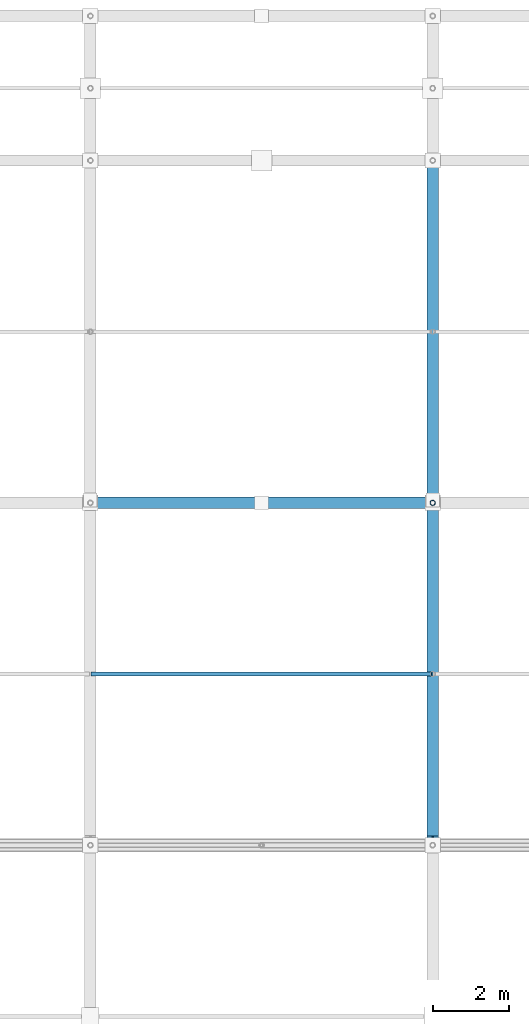
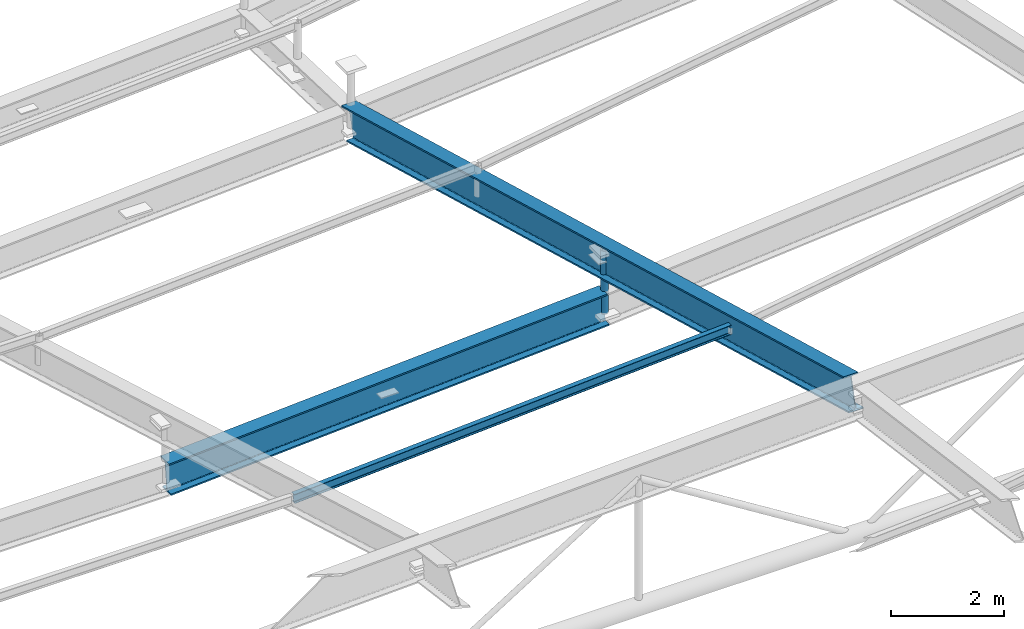
# One storey, part 46 of 80: 2 beams, 2 members.
"""IFC4 building model written with IfcOpenShell, lengths in metres."""

from ifc_helpers import new_model, si_unit, direction, frame, origin, origin_2d, place, context, subcontext, project, spatial, hollow_circle, i_section, extrude, material, material_profile, profile_set, type_object, element, save


model = new_model("IFC4")

# Units and contexts
model_context = context("Model", 3, precision=1e-05, world=origin(), true_north=direction((0.0, 1.0)))
body_context = subcontext(model_context, "Body", "Model", "MODEL_VIEW")
ifc_project = project(units=[si_unit("LENGTHUNIT", "METRE"), si_unit("AREAUNIT", "SQUARE_METRE"), si_unit("VOLUMEUNIT", "CUBIC_METRE"), si_unit("PLANEANGLEUNIT", "RADIAN"), si_unit("MASSUNIT", "GRAM", prefix="KILO")], contexts=[model_context])

# Site, building, storey
site_placement = place(None, origin())
site = spatial("IfcSite", under=ifc_project, at=site_placement, CompositionType="ELEMENT")
building_placement = place(site_placement, origin())
building = spatial("IfcBuilding", under=site, at=building_placement, Name="Barlavento Convention Centre", CompositionType="ELEMENT")
storey_placement = place(building_placement, frame((0.0, 0.0, 29.800048828125)))
storey = spatial("IfcBuildingStorey", under=building, at=storey_placement, Name="RF", CompositionType="ELEMENT", Elevation=29.800048828125)

# Beams
ifc_material_1 = material(Name="Steel S460", Category="steel")
ifc_material_profile_1 = material_profile(ifc_material_1, i_section(OverallWidth=0.300048828125, OverallDepth=0.699951171875, WebThickness=0.01708984375, FlangeThickness=0.031982421875, FilletRadius=0.027099609375, at=origin_2d()), Name="HEB 700")
ifc_profile_set_1 = profile_set([ifc_material_profile_1], Name="Steel S460")
beam_type = type_object("IfcBeamType", Name="STR-BM-TRUSS-TOP-HEB700", PredefinedType="BEAM", material=ifc_profile_set_1)
beam_1_placement = place(storey_placement, frame((36.0048828125, 45.0, -5.400146484375), z_axis=(0.998176275641, 0.0, 0.060366569787), x_axis=(0.0, 1.0, 0.0)))
element("IfcBeam", 1, at=beam_1_placement, inside=storey, type_object=beam_type, Name="Congress roof truss space frame chord", PredefinedType="BEAM", context=body_context, shape_type="SweptSolid", body=[
    extrude(i_section(OverallWidth=0.300048828125, OverallDepth=0.699951171875, WebThickness=0.01708984375, FlangeThickness=0.031982421875, FilletRadius=0.027099609375, at=origin_2d()), origin(), (0.0, 0.0, 1.0), 9.006591796875),
])
beam_2_placement = place(storey_placement, frame((45.0, 36.155029296875, -1.382568359375), z_axis=(0.0, 0.963806649618, -0.266602217081), x_axis=(-1.0, 0.0, 0.0)))
element("IfcBeam", 2, at=beam_2_placement, inside=storey, type_object=beam_type, Name="Congress roof truss space frame chord", PredefinedType="BEAM", context=body_context, shape_type="SweptSolid", body=[
    extrude(i_section(OverallWidth=0.300048828125, OverallDepth=0.699951171875, WebThickness=0.01708984375, FlangeThickness=0.031982421875, FilletRadius=0.027099609375, at=origin_2d()), origin(), (0.0, 0.0, 1.0), 18.510009765625),
])

# Members
ifc_material_2 = material(Name="Steel S355", Category="steel")
ifc_material_profile_2 = material_profile(ifc_material_2, hollow_circle(Radius=0.06982421875, WallThickness=0.008056640625, at=origin_2d()), Name="CHS 139.7x8.0")
ifc_profile_set_2 = profile_set([ifc_material_profile_2], Name="Steel S355")
member_type_1 = type_object("IfcMemberType", Name="STR-MEM-DIAG-CHS139", PredefinedType="BRACE", material=ifc_profile_set_2)
member_1_placement = place(storey_placement, frame((45.0, 45.0, -5.00634765625), z_axis=(0.0, 0.0, 1.0), x_axis=(1.0, 0.0, 0.0)))
element("IfcMember", 3, at=member_1_placement, inside=storey, type_object=member_type_1, Name="Congress space frame vertical node post TD04", PredefinedType="BRACE", context=body_context, shape_type="SweptSolid", body=[
    extrude(hollow_circle(Radius=0.06982421875, WallThickness=0.008056640625, at=origin_2d()), origin(), (0.0, 0.0, 1.0), 1.3701171875),
])
ifc_material_profile_3 = material_profile(ifc_material_2, i_section(OverallWidth=0.10009765625, OverallDepth=0.199951171875, WebThickness=0.005615234375, FlangeThickness=0.008544921875, FilletRadius=0.011962890625, at=origin_2d()), Name="IPE 200")
ifc_profile_set_3 = profile_set([ifc_material_profile_3], Name="Steel S355")
member_type_2 = type_object("IfcMemberType", Name="STR-MEM-PUR-IPE200", PredefinedType="PURLIN", material=ifc_profile_set_3)
member_2_placement = place(storey_placement, frame((36.02001953125, 40.5, -3.15625), z_axis=(0.99818200864, 0.0, 0.060271698396), x_axis=(0.0, 1.0, 0.0)))
element("IfcMember", 4, at=member_2_placement, inside=storey, type_object=member_type_2, Name="Congress roof intermediate purlin PR01", PredefinedType="PURLIN", context=body_context, shape_type="SweptSolid", body=[
    extrude(i_section(OverallWidth=0.10009765625, OverallDepth=0.199951171875, WebThickness=0.005615234375, FlangeThickness=0.008544921875, FilletRadius=0.011962890625, at=origin_2d()), origin(), (0.0, 0.0, 1.0), 8.976318359375),
])

save(model, "model.ifc")
